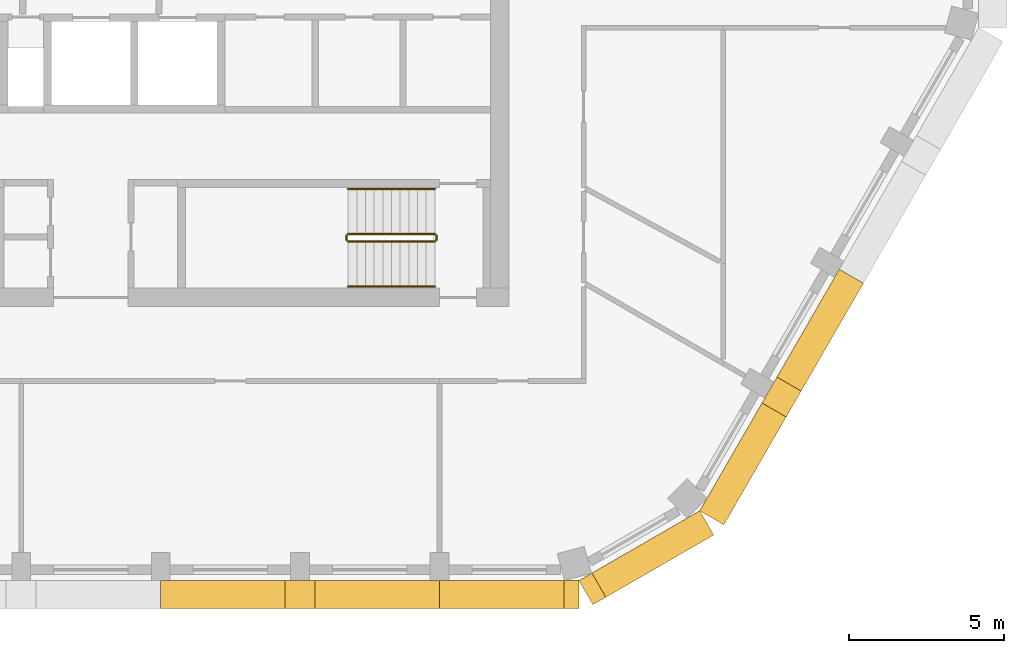
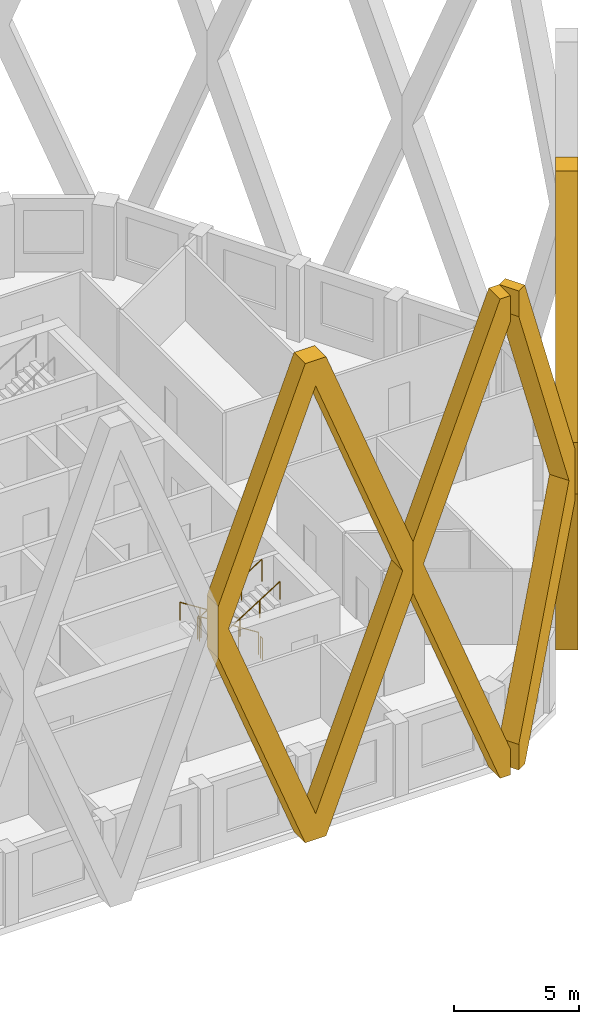
# One storey, part 11 of 14: 6 railings, 4 coverings.
"""IFC4 building model written with IfcOpenShell, lengths in metres."""

import ifcopenshell
import ifcopenshell.guid

model = None  # the IFC model being written
_history = None  # IfcOwnerHistory: only IFC2X3 demands one
_inside = {}  # id of a spatial element -> (the spatial element, [elements in it])
_under = {}  # id of a project, library or spatial element -> (it, [spatial elements below it])
_declared = {}  # id of a project -> (the project, [libraries it declares])
_typed = {}  # id of a type object -> (the type object, [elements of that type])
_made_of = {}  # id of a material, layer set ... -> (it, [elements and type objects made of it])


def new_model(schema):
    """Start an empty IFC model of exactly this schema.

    Asked for "IFC4X3", IfcOpenShell would pick the latest addendum, in which some entities
    have other attributes; the version numbers below select the first issue.
    IFC2X3 requires an IfcOwnerHistory on every rooted entity: one is made here for all.
    """
    global model, _history
    if schema == "IFC4X3":
        model = ifcopenshell.file(schema_version=(4, 3, 0, 0))
    else:
        model = ifcopenshell.file(schema=schema)
    _inside.clear()
    _under.clear()
    _declared.clear()
    _typed.clear()
    _made_of.clear()
    _history = None
    if model.schema == "IFC2X3":
        org = make("IfcOrganization", Name="unknown")
        user = make(
            "IfcPersonAndOrganization",
            ThePerson=make("IfcPerson", FamilyName="unknown"),
            TheOrganization=org,
        )
        app = make(
            "IfcApplication",
            ApplicationDeveloper=org,
            Version="unknown",
            ApplicationFullName="unknown",
            ApplicationIdentifier="unknown",
        )
        _history = make(
            "IfcOwnerHistory",
            OwningUser=user,
            OwningApplication=app,
            ChangeAction="ADDED",
            CreationDate=0,
        )
    return model


def make(cls, **values):
    """One entity of the class cls with the attributes given. An attribute that is None is left unset."""
    return model.create_entity(
        cls, **{name: value for name, value in values.items() if value is not None}
    )


def rooted(cls, **values):
    """An entity with a GlobalId (a new one), such as an element, a storey or a relation."""
    return make(cls, GlobalId=ifcopenshell.guid.new(), OwnerHistory=_history, **values)


def si_unit(unit_type, name, prefix=None):
    """IfcSIUnit, for example si_unit("LENGTHUNIT", "METRE", prefix="MILLI")."""
    return make("IfcSIUnit", UnitType=unit_type, Prefix=prefix, Name=name)


def assignment(units):
    """IfcUnitAssignment: the units of a project."""
    return None if units is None else make("IfcUnitAssignment", Units=units)


def point(xyz):
    """IfcCartesianPoint."""
    return None if xyz is None else make("IfcCartesianPoint", Coordinates=xyz)


def direction(xyz):
    """IfcDirection."""
    return None if xyz is None else make("IfcDirection", DirectionRatios=xyz)


def frame(location, z_axis=None, x_axis=None):
    """IfcAxis2Placement3D, a coordinate frame: its origin and axes. An axis left out is left unset."""
    return make(
        "IfcAxis2Placement3D",
        Location=point(location),
        Axis=direction(z_axis),
        RefDirection=direction(x_axis),
    )


def frame_2d(location, x_axis=None):
    """IfcAxis2Placement2D, a coordinate frame in the plane: its origin and x axis."""
    return make(
        "IfcAxis2Placement2D", Location=point(location), RefDirection=direction(x_axis)
    )


def origin():
    """The frame at (0, 0, 0) with its axes left unset."""
    return frame((0.0, 0.0, 0.0))


def origin_2d():
    """The frame at (0, 0) in the plane with its x axis left unset."""
    return frame_2d((0.0, 0.0))


def place(relative_to, where):
    """IfcLocalPlacement: puts the frame where relative to a parent placement (None: the world)."""
    return make(
        "IfcLocalPlacement", PlacementRelTo=relative_to, RelativePlacement=where
    )


def context(
    kind, dimensions, precision=None, world=None, true_north=None, identifier=None
):
    """IfcGeometricRepresentationContext, for example the 3D "Model" context."""
    return make(
        "IfcGeometricRepresentationContext",
        ContextIdentifier=identifier,
        ContextType=kind,
        CoordinateSpaceDimension=dimensions,
        Precision=precision,
        WorldCoordinateSystem=world,
        TrueNorth=true_north,
    )


def subcontext(parent, identifier, kind, view, scale=None):
    """IfcGeometricRepresentationSubContext, for example "Body" below "Model"."""
    return make(
        "IfcGeometricRepresentationSubContext",
        ContextIdentifier=identifier,
        ContextType=kind,
        ParentContext=parent,
        TargetScale=scale,
        TargetView=view,
    )


def project(units=None, contexts=None):
    """IfcProject with its units and contexts."""
    return rooted(
        "IfcProject",
        Name="project",
        RepresentationContexts=contexts,
        UnitsInContext=assignment(units),
    )


def spatial(cls, under=None, at=None, **own):
    """A site, building, storey or space (cls), placed at a placement, below another one or the project."""
    s = rooted(cls, ObjectPlacement=at, **own)
    if under is not None:
        _under.setdefault(under.id(), (under, []))[1].append(s)
    return s


def polyline(points):
    """IfcPolyline through the points."""
    return make("IfcPolyline", Points=[point(p) for p in points])


def profile(cls, at=None, kind="AREA", **sizes):
    """A parametric profile (cls). Its sizes go by their IFC names, for example OverallWidth=200.0."""
    return make(cls, ProfileType=kind, Position=at, **sizes)


def circle(**sizes):
    """IfcCircleProfileDef."""
    return profile("IfcCircleProfileDef", **sizes)


def outline(outer, holes=None, kind="AREA"):
    """IfcArbitraryClosedProfileDef: a profile drawn as a closed curve; with holes, ...WithVoids."""
    if holes is None:
        return make("IfcArbitraryClosedProfileDef", ProfileType=kind, OuterCurve=outer)
    return make(
        "IfcArbitraryProfileDefWithVoids",
        ProfileType=kind,
        OuterCurve=outer,
        InnerCurves=holes,
    )


def extrude(swept, where, along, depth):
    """IfcExtrudedAreaSolid: the profile swept, set in the frame where, extruded along a direction by depth."""
    return make(
        "IfcExtrudedAreaSolid",
        SweptArea=swept,
        Position=where,
        ExtrudedDirection=direction(along),
        Depth=depth,
    )


def shape(context_of_items, identifier, shape_type, items):
    """IfcShapeRepresentation: the items that make up one representation, for example the "Body"."""
    return make(
        "IfcShapeRepresentation",
        ContextOfItems=context_of_items,
        RepresentationIdentifier=identifier,
        RepresentationType=shape_type,
        Items=items,
    )


def material(Name=None, Category=None):
    """IfcMaterial."""
    return make("IfcMaterial", Name=Name, Category=Category)


def made_of(thing, what):
    """Note that an element or type object is made of a material, layer set ...; save() writes the relation."""
    if what is not None:
        _made_of.setdefault(what.id(), (what, []))[1].append(thing)
    return thing


def type_object(cls, material=None, **own):
    """A type object (cls), such as IfcWallType, which elements share."""
    return made_of(rooted(cls, **own), material)


def element(
    cls,
    number,
    at=None,
    inside=None,
    cuts=None,
    type_object=None,
    material=None,
    context=None,
    identifier="Body",
    shape_type=None,
    held_by="IfcProductDefinitionShape",
    body=None,
    shapes=None,
    **own,
):
    """One element of the class cls, such as IfcWall. Its Tag is "e" and its number.

    at: its placement. inside: the storey or other place that contains it. cuts: it is an
    opening in that element (IfcRelVoidsElement). A single representation is given by context,
    identifier, shape_type and body (its items); several are given by shapes. held_by: the class
    of the entity that holds the representations. save() writes the other relations.
    """
    e = rooted(cls, Tag="e%d" % number, ObjectPlacement=at, **own)
    if body is not None:
        shapes = [shape(context, identifier, shape_type, body)]
    if shapes is not None:
        e.Representation = make(held_by, Representations=shapes)
    if inside is not None:
        _inside.setdefault(inside.id(), (inside, []))[1].append(e)
    if cuts is not None:
        rooted(
            "IfcRelVoidsElement", RelatingBuildingElement=cuts, RelatedOpeningElement=e
        )
    if type_object is not None:
        _typed.setdefault(type_object.id(), (type_object, []))[1].append(e)
    return made_of(e, material)


def aggregate(whole, parts):
    """IfcRelAggregates: a whole, such as a stair, and the parts it consists of."""
    return rooted("IfcRelAggregates", RelatingObject=whole, RelatedObjects=parts)


def save(model, path):
    """Write the relations noted so far, then the file.

    IfcRelAggregates (storeys below a building ...), IfcRelContainedInSpatialStructure (elements
    in a storey), IfcRelDefinesByType, IfcRelAssociatesMaterial and IfcRelDeclares: one each for
    every whole, place, type object, material and project.
    """
    for whole, parts in _under.values():
        aggregate(whole, parts)
    for where, things in _inside.values():
        rooted(
            "IfcRelContainedInSpatialStructure",
            RelatedElements=things,
            RelatingStructure=where,
        )
    for kind, things in _typed.values():
        rooted("IfcRelDefinesByType", RelatedObjects=things, RelatingType=kind)
    for what, things in _made_of.values():
        rooted("IfcRelAssociatesMaterial", RelatedObjects=things, RelatingMaterial=what)
    for by, libraries in _declared.values():
        rooted("IfcRelDeclares", RelatingContext=by, RelatedDefinitions=libraries)
    model.write(path)


model = new_model("IFC4")

# Units and contexts
model_context = context("Model", 3, precision=1e-05, world=origin(), true_north=direction((0.0, 1.0)))
body_context = subcontext(model_context, "Body", "Model", "MODEL_VIEW")
ifc_project = project(units=[si_unit("LENGTHUNIT", "METRE"), si_unit("AREAUNIT", "SQUARE_METRE"), si_unit("VOLUMEUNIT", "CUBIC_METRE"), si_unit("PLANEANGLEUNIT", "RADIAN"), si_unit("MASSUNIT", "GRAM", prefix="KILO")], contexts=[model_context])

# Site, building, storey
site_placement = place(None, origin())
site = spatial("IfcSite", under=ifc_project, at=site_placement, CompositionType="ELEMENT")
building_placement = place(site_placement, origin())
building = spatial("IfcBuilding", under=site, at=building_placement, Name="Dhurran Vertical Campus", CompositionType="ELEMENT")
storey_placement = place(building_placement, frame((0.0, 0.0, 286.5)))
storey = spatial("IfcBuildingStorey", under=building, at=storey_placement, Name="L71", CompositionType="ELEMENT", Elevation=286.5)

# Coverings
ifc_material_1 = material(Name="Precast concrete C50/60", Category="concrete")
covering_type = type_object("IfcCoveringType", Name="Folded precast fin lattice diamond", PredefinedType="USERDEFINED", material=ifc_material_1)
covering_1_placement = place(storey_placement, frame((2.25, -20.08837890625, 0.0), z_axis=(0.0, -1.0, 0.0), x_axis=(1.0, 0.0, 0.0)))
element("IfcCovering", 1, at=covering_1_placement, inside=storey, type_object=covering_type, Name="FN1 L71.003", ObjectType="FIN", PredefinedType="USERDEFINED", context=body_context, shape_type="SweptSolid", body=[
    extrude(outline(polyline([(9.0, 12.95361328125), (9.0, 10.4462890625), (4.982177734375, 0.0), (4.017822265625, 0.0), (0.0, 10.4462890625), (0.0, 12.95361328125), (4.017822265625, 23.39990234375), (4.982177734375, 23.39990234375), (9.0, 12.95361328125)]), holes=[polyline([(8.517822265625, 11.699951171875), (4.5, 22.146484375), (0.482177734375, 11.699951171875), (4.5, 1.253662109375), (8.517822265625, 11.699951171875)])]), origin(), (0.0, 0.0, 1.0), 0.900146484375),
])
covering_2_placement = place(storey_placement, frame((11.25, -20.08837890625, 0.0), z_axis=(0.0, -1.0, 0.0), x_axis=(1.0, 0.0, 0.0)))
element("IfcCovering", 2, at=covering_2_placement, inside=storey, type_object=covering_type, Name="FN1 L71.004", ObjectType="FIN", PredefinedType="USERDEFINED", context=body_context, shape_type="SweptSolid", body=[
    extrude(outline(polyline([(4.017822265625, 0.0), (0.0, 10.4462890625), (0.0, 12.95361328125), (4.017822265625, 23.39990234375), (4.5, 23.39990234375), (4.5, 22.146484375), (0.482177734375, 11.699951171875), (4.5, 1.253662109375), (4.5, 0.0), (4.017822265625, 0.0)])), origin(), (0.0, 0.0, 1.0), 0.900146484375),
])
covering_3_placement = place(storey_placement, frame((15.75, -20.08837890625, 0.0), z_axis=(0.499902469156, -0.866081705922, 0.0), x_axis=(0.866081705922, 0.499902469156, 0.0)))
element("IfcCovering", 3, at=covering_3_placement, inside=storey, type_object=covering_type, Name="FN1 L71.005", ObjectType="FIN", PredefinedType="USERDEFINED", context=body_context, shape_type="SweptSolid", body=[
    extrude(outline(polyline([(4.5, 10.4462890625), (0.482177734375, 0.0), (0.0, 0.0), (0.0, 1.253662109375), (4.017822265625, 11.699951171875), (0.0, 22.146484375), (0.0, 23.39990234375), (0.482177734375, 23.39990234375), (4.5, 12.95361328125), (4.5, 10.4462890625)])), origin(), (0.0, 0.0, 1.0), 0.900146484375),
])
covering_4_placement = place(storey_placement, frame((19.647216796875, -17.83837890625, 0.0), z_axis=(0.865896406789, -0.500223362819, 0.0), x_axis=(0.500223362819, 0.865896406789, 0.0)))
element("IfcCovering", 4, at=covering_4_placement, inside=storey, type_object=covering_type, Name="FN1 L71.006", ObjectType="FIN", PredefinedType="USERDEFINED", context=body_context, shape_type="SweptSolid", body=[
    extrude(outline(polyline([(9.0, 12.95361328125), (9.0, 10.4462890625), (4.982177734375, 0.0), (4.017822265625, 0.0), (0.0, 10.4462890625), (0.0, 12.95361328125), (4.017822265625, 23.39990234375), (4.982177734375, 23.39990234375), (9.0, 12.95361328125)]), holes=[polyline([(8.517822265625, 11.699951171875), (4.5, 22.146484375), (0.482177734375, 11.699951171875), (4.5, 1.253662109375), (8.517822265625, 11.699951171875)])]), origin(), (0.0, 0.0, 1.0), 0.89990234375),
])

# Railings
ifc_material_2 = material(Name="Stainless steel balustrade", Category="steel")
railing_type_1 = type_object("IfcRailingType", Name="co-RL-GUARD-1100", PredefinedType="GUARDRAIL", material=ifc_material_2)
railing_1_placement = place(storey_placement, frame((11.10009765625, -8.89990234375, 0.17724609375)))
element("IfcRailing", 5, at=railing_1_placement, inside=storey, type_object=railing_type_1, Name="L71 ST4 stair guard 1", PredefinedType="GUARDRAIL", context=body_context, shape_type="SweptSolid", body=[
    extrude(circle(Radius=0.02392578125, at=origin_2d()), frame((0.0, 0.0, 1.076171875), z_axis=(-0.844908973607, 0.0, 0.534910110503), x_axis=(0.0, -1.0, 0.0)), (0.0, 0.0, 1.0), 3.31396484375),
    extrude(circle(Radius=0.02099609375, at=origin_2d()), origin(), (0.0, 0.0, 1.0), 1.052001953125),
    extrude(circle(Radius=0.02099609375, at=origin_2d()), frame((-0.933349609375, 0.0, 0.5908203125)), (0.0, 0.0, 1.0), 1.052001953125),
    extrude(circle(Radius=0.02099609375, at=origin_2d()), frame((-1.86669921875, 0.0, 1.181884765625)), (0.0, 0.0, 1.0), 1.052001953125),
    extrude(circle(Radius=0.02099609375, at=origin_2d()), frame((-2.800048828125, 0.0, 1.772705078125)), (0.0, 0.0, 1.0), 1.052001953125),
])
railing_2_placement = place(storey_placement, frame((8.25, -8.949951171875, 1.949951171875)))
element("IfcRailing", 6, at=railing_2_placement, inside=storey, type_object=railing_type_1, Name="L71 ST4 stair guard 2", PredefinedType="GUARDRAIL", context=body_context, shape_type="SweptSolid", body=[
    extrude(circle(Radius=0.02392578125, at=origin_2d()), frame((0.0, 0.0, 1.076171875), z_axis=(0.0, -1.0, 0.0), x_axis=(1.0, 0.0, 0.0)), (0.0, 0.0, 1.0), 0.150146484375),
    extrude(circle(Radius=0.02099609375, at=origin_2d()), origin(), (0.0, 0.0, 1.0), 1.052001953125),
    extrude(circle(Radius=0.02099609375, at=origin_2d()), frame((0.0, -0.150146484375, 0.0)), (0.0, 0.0, 1.0), 1.052001953125),
])
railing_3_placement = place(storey_placement, frame((8.300048828125, -9.14990234375, 2.127197265625)))
element("IfcRailing", 7, at=railing_3_placement, inside=storey, type_object=railing_type_1, Name="L71 ST4 stair guard 3", PredefinedType="GUARDRAIL", context=body_context, shape_type="SweptSolid", body=[
    extrude(circle(Radius=0.02392578125, at=origin_2d()), frame((0.0, 0.0, 1.076171875), z_axis=(0.844908973607, 0.0, 0.534910110503), x_axis=(0.0, 1.0, 0.0)), (0.0, 0.0, 1.0), 3.31396484375),
    extrude(circle(Radius=0.02099609375, at=origin_2d()), origin(), (0.0, 0.0, 1.0), 1.052001953125),
    extrude(circle(Radius=0.02099609375, at=origin_2d()), frame((0.933349609375, 0.0, 0.5908203125)), (0.0, 0.0, 1.0), 1.052001953125),
    extrude(circle(Radius=0.02099609375, at=origin_2d()), frame((1.86669921875, 0.0, 1.181884765625)), (0.0, 0.0, 1.0), 1.052001953125),
    extrude(circle(Radius=0.02099609375, at=origin_2d()), frame((2.800048828125, 0.0, 1.772705078125)), (0.0, 0.0, 1.0), 1.052001953125),
])
railing_4_placement = place(storey_placement, frame((11.14990234375, -8.949951171875, 0.0)))
element("IfcRailing", 8, at=railing_4_placement, inside=storey, type_object=railing_type_1, Name="L71 ST4 stair guard 4", PredefinedType="GUARDRAIL", context=body_context, shape_type="SweptSolid", body=[
    extrude(circle(Radius=0.02392578125, at=origin_2d()), frame((0.0, 0.0, 1.076171875), z_axis=(0.0, -1.0, 0.0), x_axis=(1.0, 0.0, 0.0)), (0.0, 0.0, 1.0), 0.150146484375),
    extrude(circle(Radius=0.02099609375, at=origin_2d()), origin(), (0.0, 0.0, 1.0), 1.052001953125),
    extrude(circle(Radius=0.02099609375, at=origin_2d()), frame((0.0, -0.150146484375, 0.0)), (0.0, 0.0, 1.0), 1.052001953125),
])
ifc_material_3 = material(Name="Stainless steel handrail", Category="steel")
railing_type_2 = type_object("IfcRailingType", Name="co-RL-HANDRAIL-900", PredefinedType="HANDRAIL", material=ifc_material_3)
railing_5_placement = place(storey_placement, frame((11.10009765625, -7.449951171875, 0.17724609375)))
element("IfcRailing", 9, at=railing_5_placement, inside=storey, type_object=railing_type_2, Name="L71 ST4 stair handrail 1", PredefinedType="HANDRAIL", context=body_context, shape_type="SweptSolid", body=[
    extrude(circle(Radius=0.02392578125, at=origin_2d()), frame((0.0, 0.0, 0.8759765625), z_axis=(-0.844908973607, 0.0, 0.534910110503), x_axis=(0.0, -1.0, 0.0)), (0.0, 0.0, 1.0), 3.31396484375),
    extrude(circle(Radius=0.02099609375, at=origin_2d()), origin(), (0.0, 0.0, 1.0), 0.851806640625),
    extrude(circle(Radius=0.02099609375, at=origin_2d()), frame((-0.933349609375, 0.0, 0.5908203125)), (0.0, 0.0, 1.0), 0.851806640625),
    extrude(circle(Radius=0.02099609375, at=origin_2d()), frame((-1.86669921875, 0.0, 1.181884765625)), (0.0, 0.0, 1.0), 0.851806640625),
    extrude(circle(Radius=0.02099609375, at=origin_2d()), frame((-2.800048828125, 0.0, 1.772705078125)), (0.0, 0.0, 1.0), 0.851806640625),
])
railing_6_placement = place(storey_placement, frame((8.300048828125, -10.60009765625, 2.127197265625)))
element("IfcRailing", 10, at=railing_6_placement, inside=storey, type_object=railing_type_2, Name="L71 ST4 stair handrail 2", PredefinedType="HANDRAIL", context=body_context, shape_type="SweptSolid", body=[
    extrude(circle(Radius=0.02392578125, at=origin_2d()), frame((0.0, 0.0, 0.8759765625), z_axis=(0.844908973607, 0.0, 0.534910110503), x_axis=(0.0, 1.0, 0.0)), (0.0, 0.0, 1.0), 3.31396484375),
    extrude(circle(Radius=0.02099609375, at=origin_2d()), origin(), (0.0, 0.0, 1.0), 0.851806640625),
    extrude(circle(Radius=0.02099609375, at=origin_2d()), frame((0.933349609375, 0.0, 0.5908203125)), (0.0, 0.0, 1.0), 0.851806640625),
    extrude(circle(Radius=0.02099609375, at=origin_2d()), frame((1.86669921875, 0.0, 1.181884765625)), (0.0, 0.0, 1.0), 0.851806640625),
    extrude(circle(Radius=0.02099609375, at=origin_2d()), frame((2.800048828125, 0.0, 1.772705078125)), (0.0, 0.0, 1.0), 0.851806640625),
])

save(model, "model.ifc")
